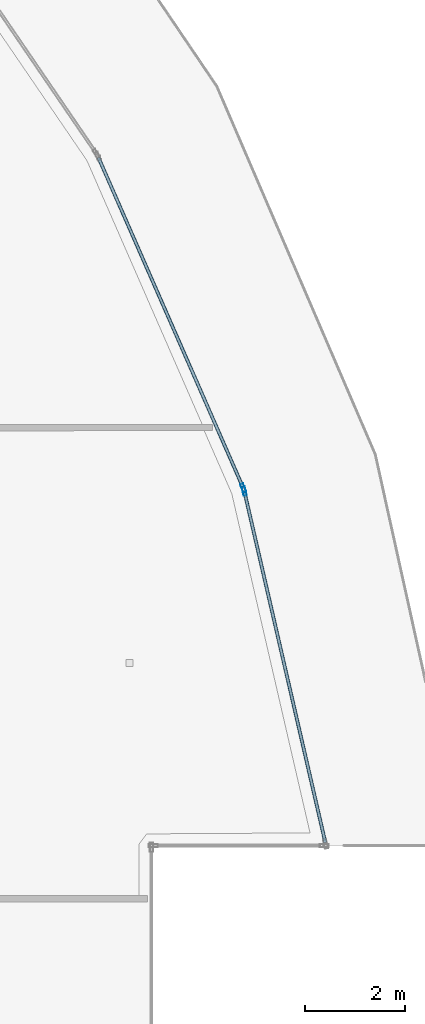
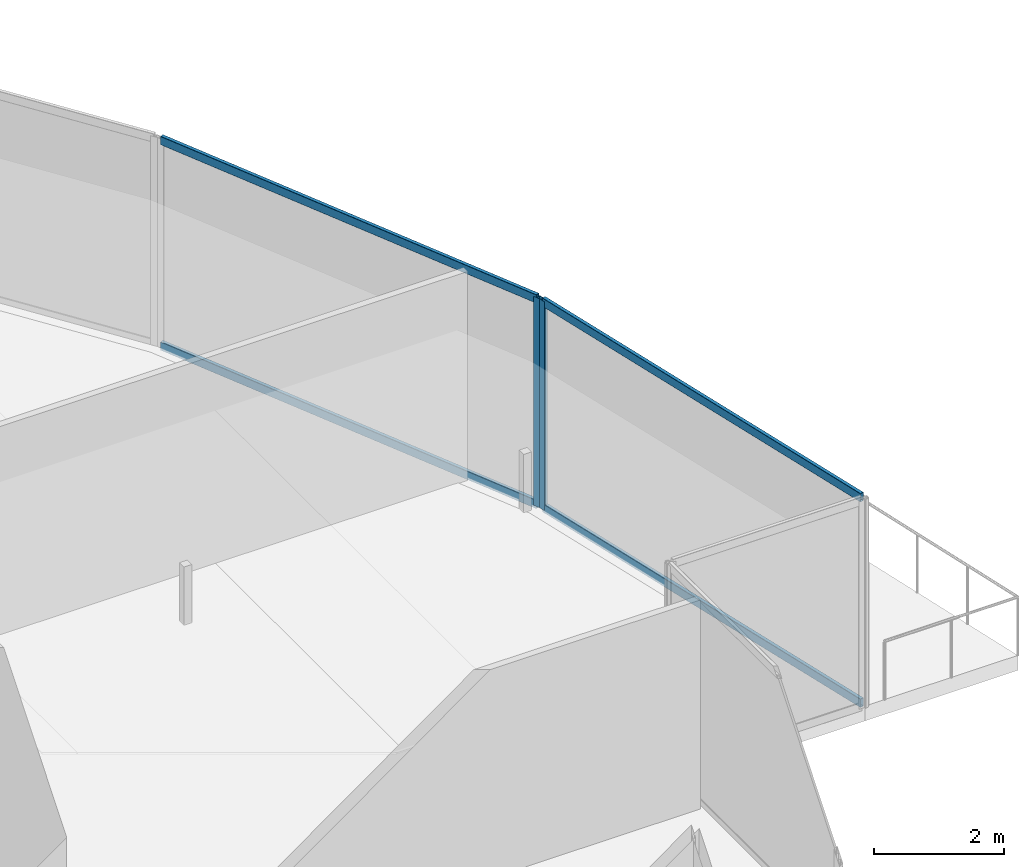
# One storey, part 25 of 44: 6 members, 2 elements without a shape of their own.
"""IFC4 building model written with IfcOpenShell, lengths in metres."""

from ifc_helpers import new_model, si_unit, direction, frame, origin, origin_2d, place, context, subcontext, project, spatial, hollow_rectangle, extrude, material, layer, layer_set, material_profile, profile_set, type_object, element, aggregate, save


model = new_model("IFC4")

# Units and contexts
model_context = context("Model", 3, precision=1e-05, world=origin(), true_north=direction((0.0, 1.0)))
body_context = subcontext(model_context, "Body", "Model", "MODEL_VIEW")
ifc_project = project(units=[si_unit("LENGTHUNIT", "METRE"), si_unit("AREAUNIT", "SQUARE_METRE"), si_unit("VOLUMEUNIT", "CUBIC_METRE"), si_unit("PLANEANGLEUNIT", "RADIAN"), si_unit("MASSUNIT", "GRAM", prefix="KILO")], contexts=[model_context])

# Site, building, storey
site_placement = place(None, origin())
site = spatial("IfcSite", under=ifc_project, at=site_placement, CompositionType="ELEMENT")
building_placement = place(site_placement, origin())
building = spatial("IfcBuilding", under=site, at=building_placement, Name="Qorvath Tower", CompositionType="ELEMENT")
storey_placement = place(building_placement, frame((0.0, 0.0, 70.199951171875)))
storey = spatial("IfcBuildingStorey", under=building, at=storey_placement, Name="L15", CompositionType="ELEMENT", Elevation=70.199951171875)

# Curtain wall, member
ifc_material_1 = material(Name="Anodised aluminium and triple low-E glass", Category="aluminium")
ifc_layer = layer(ifc_material_1, 0.179931640625)
ifc_layer_set = layer_set([ifc_layer], Name="CW-SYS-2")
curtain_wall_type = type_object("IfcCurtainWallType", Name="CW-SYS-2", PredefinedType="NOTDEFINED", material=ifc_layer_set)
curtain_wall_1_placement = place(storey_placement, origin())
curtain_wall_1 = element("IfcCurtainWall", 1, at=curtain_wall_1_placement, inside=storey, type_object=curtain_wall_type, Name="Curtain Wall CW-2 CW-T-L15-11.1", PredefinedType="NOTDEFINED")
ifc_material_2 = material(Name="Anodised aluminium 6063-T6", Category="aluminium")
ifc_material_profile_1 = material_profile(ifc_material_2, hollow_rectangle(XDim=0.06494140625, YDim=0.179931640625, WallThickness=0.00341796875, InnerFilletRadius=0.00341796875, OuterFilletRadius=0.007080078125, at=origin_2d()), Name="CWM 180x65")
ifc_profile_set_1 = profile_set([ifc_material_profile_1], Name="Anodised aluminium 6063-T6")
member_type_1 = type_object("IfcMemberType", Name="CWM-180", PredefinedType="MULLION", material=ifc_profile_set_1)
member_1_placement = place(storey_placement, frame((4.809326171875, 12.30712890625, 0.0), z_axis=(0.0, 0.0, 1.0), x_axis=(-0.974413360078, -0.224763439425, 0.0)))
member_1 = element("IfcMember", 2, at=member_1_placement, type_object=member_type_1, Name="CW-2 mullion 2", PredefinedType="MULLION", context=body_context, shape_type="SweptSolid", body=[
    extrude(hollow_rectangle(XDim=0.06494140625, YDim=0.179931640625, WallThickness=0.00341796875, InnerFilletRadius=0.00341796875, OuterFilletRadius=0.007080078125, at=origin_2d()), origin(), (0.0, 0.0, 1.0), 3.920166015625),
])

curtain_wall_2_placement = place(storey_placement, origin())
curtain_wall_2 = element("IfcCurtainWall", 3, at=curtain_wall_2_placement, inside=storey, type_object=curtain_wall_type, Name="Curtain Wall CW-2 CW-T-L15-12.1", PredefinedType="NOTDEFINED")
member_2_placement = place(storey_placement, frame((4.7890625, 12.36865234375, 0.0), z_axis=(0.0, 0.0, 1.0), x_axis=(-0.915925737134, -0.401347784416, 0.0)))
member_2 = element("IfcMember", 4, at=member_2_placement, type_object=member_type_1, Name="CW-2 mullion 1", PredefinedType="MULLION", context=body_context, shape_type="SweptSolid", body=[
    extrude(hollow_rectangle(XDim=0.06494140625, YDim=0.179931640625, WallThickness=0.00341796875, InnerFilletRadius=0.00341796875, OuterFilletRadius=0.007080078125, at=origin_2d()), origin(), (0.0, 0.0, 1.0), 3.920166015625),
])

# Member
ifc_material_3 = material(Name="Anodised aluminium 6063-T6", Category="aluminium")
ifc_material_profile_2 = material_profile(ifc_material_3, hollow_rectangle(XDim=0.06494140625, YDim=0.159912109375, WallThickness=0.00341796875, InnerFilletRadius=0.00341796875, OuterFilletRadius=0.007080078125, at=origin_2d()), Name="CWT 160x65")
ifc_profile_set_2 = profile_set([ifc_material_profile_2], Name="Anodised aluminium 6063-T6")
member_type_2 = type_object("IfcMemberType", Name="CWT-160", PredefinedType="USERDEFINED", material=ifc_profile_set_2)
member_3_placement = place(storey_placement, frame((6.427734375, 5.29052734375, 0.032470703125), z_axis=(-0.224745087436, 0.974417593064, 0.0), x_axis=(-0.974417593064, -0.224745087436, 0.0)))
member_3 = element("IfcMember", 5, at=member_3_placement, type_object=member_type_2, Name="CW-2 transom 1.1", ObjectType="TRANSOM", PredefinedType="USERDEFINED", context=body_context, shape_type="SweptSolid", body=[
    extrude(hollow_rectangle(XDim=0.06494140625, YDim=0.159912109375, WallThickness=0.00341796875, InnerFilletRadius=0.00341796875, OuterFilletRadius=0.007080078125, at=origin_2d()), origin(), (0.0, 0.0, 1.0), 7.16845703125),
])

member_4_placement = place(storey_placement, frame((6.427734375, 5.29052734375, 3.8876953125), z_axis=(-0.224745087436, 0.974417593064, 0.0), x_axis=(-0.974417593064, -0.224745087436, 0.0)))
member_4 = element("IfcMember", 6, at=member_4_placement, type_object=member_type_2, Name="CW-2 transom 1.2", ObjectType="TRANSOM", PredefinedType="USERDEFINED", context=body_context, shape_type="SweptSolid", body=[
    extrude(hollow_rectangle(XDim=0.06494140625, YDim=0.159912109375, WallThickness=0.00341796875, InnerFilletRadius=0.00341796875, OuterFilletRadius=0.007080078125, at=origin_2d()), origin(), (0.0, 0.0, 1.0), 7.16845703125),
])

aggregate(curtain_wall_1, [member_1, member_3, member_4])

member_5_placement = place(storey_placement, frame((4.77587890625, 12.3984375, 0.032470703125), z_axis=(-0.401342260433, 0.915928157658, 0.0), x_axis=(-0.915928157658, -0.401342260433, 0.0)))
member_5 = element("IfcMember", 7, at=member_5_placement, type_object=member_type_2, Name="CW-2 transom 1.1", ObjectType="TRANSOM", PredefinedType="USERDEFINED", context=body_context, shape_type="SweptSolid", body=[
    extrude(hollow_rectangle(XDim=0.06494140625, YDim=0.159912109375, WallThickness=0.00341796875, InnerFilletRadius=0.00341796875, OuterFilletRadius=0.007080078125, at=origin_2d()), origin(), (0.0, 0.0, 1.0), 7.168212890625),
])

member_6_placement = place(storey_placement, frame((4.77587890625, 12.3984375, 3.8876953125), z_axis=(-0.401342260433, 0.915928157658, 0.0), x_axis=(-0.915928157658, -0.401342260433, 0.0)))
member_6 = element("IfcMember", 8, at=member_6_placement, type_object=member_type_2, Name="CW-2 transom 1.2", ObjectType="TRANSOM", PredefinedType="USERDEFINED", context=body_context, shape_type="SweptSolid", body=[
    extrude(hollow_rectangle(XDim=0.06494140625, YDim=0.159912109375, WallThickness=0.00341796875, InnerFilletRadius=0.00341796875, OuterFilletRadius=0.007080078125, at=origin_2d()), origin(), (0.0, 0.0, 1.0), 7.168212890625),
])

aggregate(curtain_wall_2, [member_2, member_5, member_6])

save(model, "model.ifc")
